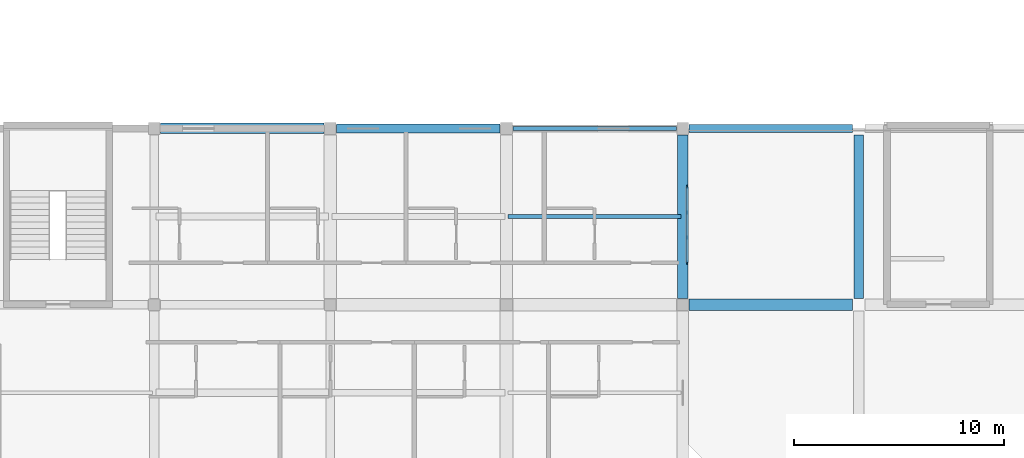
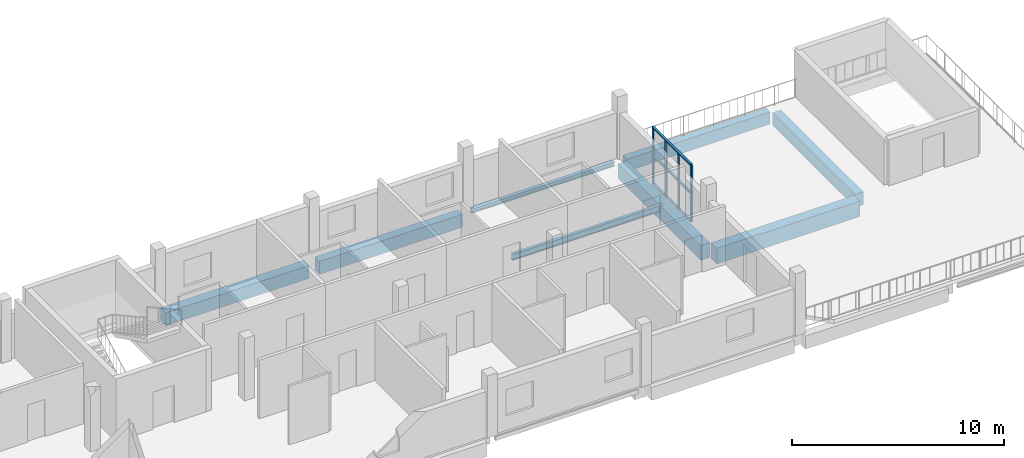
# One storey, part 6 of 26: 8 beams, 7 members, 1 element without a shape of its own.
"""IFC4 building model written with IfcOpenShell, lengths in metres."""

from ifc_helpers import new_model, si_unit, derived_unit, direction, frame, origin, origin_2d, place, context, subcontext, project, spatial, rectangle, i_section, extrude, material, material_profile, profile_set, type_object, element, aggregate, save


model = new_model("IFC4")

# Units and contexts
model_context = context("Model", 3, precision=1e-05, world=origin(), true_north=direction((0.0, 1.0)))
body_context = subcontext(model_context, "Body", "Model", "MODEL_VIEW")
ifc_project = project(units=[si_unit("LENGTHUNIT", "METRE"), si_unit("AREAUNIT", "SQUARE_METRE"), si_unit("VOLUMEUNIT", "CUBIC_METRE"), si_unit("PLANEANGLEUNIT", "RADIAN"), si_unit("MASSUNIT", "GRAM", prefix="KILO"), derived_unit("THERMALTRANSMITTANCEUNIT", [(si_unit("POWERUNIT", "WATT"), 1), (si_unit("LENGTHUNIT", "METRE"), -2), (si_unit("THERMODYNAMICTEMPERATUREUNIT", "KELVIN"), -1)])], contexts=[model_context])

# Site, building, storey
site_placement = place(None, origin())
site = spatial("IfcSite", under=ifc_project, at=site_placement, CompositionType="ELEMENT")
building_placement = place(site_placement, origin())
building = spatial("IfcBuilding", under=site, at=building_placement, Name="Barrovel Congress Hotel", CompositionType="ELEMENT")
storey_placement = place(building_placement, frame((0.0, 0.0, 32.699951171875)))
storey = spatial("IfcBuildingStorey", under=building, at=storey_placement, Name="L08", CompositionType="ELEMENT", Elevation=32.699951171875)

# Beams
ifc_material_1 = material(Name="Concrete C40", Category="concrete")
ifc_material_profile_1 = material_profile(ifc_material_1, rectangle(XDim=0.39990234375, YDim=0.699951171875, at=origin_2d()), Name="RC400x700")
ifc_profile_set_1 = profile_set([ifc_material_profile_1], Name="Concrete C40")
beam_type_1 = type_object("IfcBeamType", Name="BM-RC400x700", PredefinedType="BEAM", material=ifc_profile_set_1)
beam_1_placement = place(storey_placement, frame((134.699951171875, 21.0, -0.570068359375), z_axis=(1.0, 0.0, 0.0), x_axis=(0.0, 1.0, 0.0)))
element("IfcBeam", 1, at=beam_1_placement, inside=storey, type_object=beam_type_1, Name="BMX:L08:21.0:134.4-142.8", PredefinedType="BEAM", context=body_context, shape_type="SweptSolid", body=[
    extrude(rectangle(XDim=0.39990234375, YDim=0.699951171875, at=origin_2d()), origin(), (0.0, 0.0, 1.0), 7.800048828125),
])
ifc_material_profile_2 = material_profile(ifc_material_1, rectangle(XDim=0.449951171875, YDim=0.75, at=origin_2d()), Name="RC450x750")
ifc_profile_set_2 = profile_set([ifc_material_profile_2], Name="Concrete C40")
beam_type_2 = type_object("IfcBeamType", Name="BM-RC450x750", PredefinedType="BEAM", material=ifc_profile_set_2)
for number, where, z_axis, x_axis, name in (
    (2, (117.89990234375, 21.0, -0.594970703125), (1.0, 0.0, 0.0), (0.0, 1.0, 0.0), "BMX:L08:21.0:117.6-126.0"),
    (3, (142.800048828125, 12.89990234375, -0.594970703125), (0.0, 1.0, 0.0), (-1.0, 0.0, 0.0), "BMY:L08:142.8:12.6-21.0"),
):
    element("IfcBeam", number, at=place(storey_placement, frame(where, z_axis=z_axis, x_axis=x_axis)), inside=storey, type_object=beam_type_2, Name=name, PredefinedType="BEAM", context=body_context, shape_type="SweptSolid", body=[
        extrude(rectangle(XDim=0.449951171875, YDim=0.75, at=origin_2d()), origin(), (0.0, 0.0, 1.0), 7.800048828125),
    ])
ifc_material_profile_3 = material_profile(ifc_material_1, rectangle(XDim=0.5, YDim=0.75, at=origin_2d()), Name="RC500x750")
ifc_profile_set_3 = profile_set([ifc_material_profile_3], Name="Concrete C40")
beam_type_3 = type_object("IfcBeamType", Name="BM-RC500x750", PredefinedType="BEAM", material=ifc_profile_set_3)
beam_2_placement = place(storey_placement, frame((109.5, 21.0, -0.594970703125), z_axis=(1.0, 0.0, 0.0), x_axis=(0.0, 1.0, 0.0)))
element("IfcBeam", 4, at=beam_2_placement, inside=storey, type_object=beam_type_3, Name="BMX:L08:21.0:109.2-117.6", PredefinedType="BEAM", context=body_context, shape_type="SweptSolid", body=[
    extrude(rectangle(XDim=0.5, YDim=0.75, at=origin_2d()), origin(), (0.0, 0.0, 1.0), 7.800048828125),
])
ifc_material_profile_4 = material_profile(ifc_material_1, rectangle(XDim=0.5, YDim=0.85009765625, at=origin_2d()), Name="RC500x850")
ifc_profile_set_4 = profile_set([ifc_material_profile_4], Name="Concrete C40")
beam_type_4 = type_object("IfcBeamType", Name="BM-RC500x850", PredefinedType="BEAM", material=ifc_profile_set_4)
beam_3_placement = place(storey_placement, frame((134.39990234375, 12.89990234375, -0.64501953125), z_axis=(0.0, 1.0, 0.0), x_axis=(-1.0, 0.0, 0.0)))
element("IfcBeam", 5, at=beam_3_placement, inside=storey, type_object=beam_type_4, Name="BMY:L08:134.4:12.6-21.0", PredefinedType="BEAM", context=body_context, shape_type="SweptSolid", body=[
    extrude(rectangle(XDim=0.5, YDim=0.85009765625, at=origin_2d()), origin(), (0.0, 0.0, 1.0), 7.800048828125),
])
ifc_material_profile_5 = material_profile(ifc_material_1, rectangle(XDim=0.550048828125, YDim=0.89990234375, at=origin_2d()), Name="RC550x900")
ifc_profile_set_5 = profile_set([ifc_material_profile_5], Name="Concrete C40")
beam_type_5 = type_object("IfcBeamType", Name="BM-RC550x900", PredefinedType="BEAM", material=ifc_profile_set_5)
beam_4_placement = place(storey_placement, frame((134.699951171875, 12.60009765625, -0.669921875), z_axis=(1.0, 0.0, 0.0), x_axis=(0.0, 1.0, 0.0)))
element("IfcBeam", 6, at=beam_4_placement, inside=storey, type_object=beam_type_5, Name="BMX:L08:12.6:134.4-142.8", PredefinedType="BEAM", context=body_context, shape_type="SweptSolid", body=[
    extrude(rectangle(XDim=0.550048828125, YDim=0.89990234375, at=origin_2d()), origin(), (0.0, 0.0, 1.0), 7.800048828125),
])

# Curtain wall, members
ifc_material_2 = material(Name="Anodised Aluminium Alloy 6063-T6", Category="aluminium")
curtain_wall_type = type_object("IfcCurtainWallType", Name="CW-UN-3600x3200", PredefinedType="USERDEFINED", material=ifc_material_2)
curtain_wall_placement = place(storey_placement, origin())
curtain_wall = element("IfcCurtainWall", 7, at=curtain_wall_placement, inside=storey, type_object=curtain_wall_type, Name="CW:L08:UN-1", ObjectType="UNITISED CURTAIN WALL", PredefinedType="USERDEFINED")
ifc_material_profile_6 = material_profile(ifc_material_2, rectangle(XDim=0.06005859375, YDim=0.1650390625, at=origin_2d()), Name="AL-M60x165")
ifc_profile_set_6 = profile_set([ifc_material_profile_6], Name="Anodised Aluminium Alloy 6063-T6")
member_type_1 = type_object("IfcMemberType", Name="CWM-AL-M60x165", PredefinedType="MULLION", material=ifc_profile_set_6)
member_1_placement = place(storey_placement, frame((134.6201171875, 14.60009765625, 0.0), z_axis=(0.0, 0.0, 1.0), x_axis=(1.0, 0.0, 0.0)))
member_1 = element("IfcMember", 8, at=member_1_placement, type_object=member_type_1, Name="CW:L08:UN-1:M0", PredefinedType="MULLION", context=body_context, shape_type="SweptSolid", body=[
    extrude(rectangle(XDim=0.06005859375, YDim=0.1650390625, at=origin_2d()), origin(), (0.0, 0.0, 1.0), 3.25),
])
member_2_placement = place(storey_placement, frame((134.6201171875, 15.800048828125, 0.0), z_axis=(0.0, 0.0, 1.0), x_axis=(1.0, 0.0, 0.0)))
member_2 = element("IfcMember", 9, at=member_2_placement, type_object=member_type_1, Name="CW:L08:UN-1:M1", PredefinedType="MULLION", context=body_context, shape_type="SweptSolid", body=[
    extrude(rectangle(XDim=0.06005859375, YDim=0.1650390625, at=origin_2d()), origin(), (0.0, 0.0, 1.0), 3.25),
])
member_3_placement = place(storey_placement, frame((134.6201171875, 17.0, 0.0), z_axis=(0.0, 0.0, 1.0), x_axis=(1.0, 0.0, 0.0)))
member_3 = element("IfcMember", 10, at=member_3_placement, type_object=member_type_1, Name="CW:L08:UN-1:M2", PredefinedType="MULLION", context=body_context, shape_type="SweptSolid", body=[
    extrude(rectangle(XDim=0.06005859375, YDim=0.1650390625, at=origin_2d()), origin(), (0.0, 0.0, 1.0), 3.25),
])
member_4_placement = place(storey_placement, frame((134.6201171875, 18.199951171875, 0.0), z_axis=(0.0, 0.0, 1.0), x_axis=(1.0, 0.0, 0.0)))
member_4 = element("IfcMember", 11, at=member_4_placement, type_object=member_type_1, Name="CW:L08:UN-1:M3", PredefinedType="MULLION", context=body_context, shape_type="SweptSolid", body=[
    extrude(rectangle(XDim=0.06005859375, YDim=0.1650390625, at=origin_2d()), origin(), (0.0, 0.0, 1.0), 3.25),
])
ifc_material_profile_7 = material_profile(ifc_material_2, rectangle(XDim=0.125, YDim=0.06005859375, at=origin_2d()), Name="AL-T60x125")
ifc_profile_set_7 = profile_set([ifc_material_profile_7], Name="Anodised Aluminium Alloy 6063-T6")
member_type_2 = type_object("IfcMemberType", Name="CWT-AL-T60x125", PredefinedType="USERDEFINED", material=ifc_profile_set_7)
member_5_placement = place(storey_placement, frame((134.6201171875, 14.60009765625, 0.0), z_axis=(0.0, 1.0, 0.0), x_axis=(-1.0, 0.0, 0.0)))
member_5 = element("IfcMember", 12, at=member_5_placement, type_object=member_type_2, Name="CW:L08:UN-1:T0", ObjectType="TRANSOM", PredefinedType="USERDEFINED", context=body_context, shape_type="SweptSolid", body=[
    extrude(rectangle(XDim=0.125, YDim=0.06005859375, at=origin_2d()), origin(), (0.0, 0.0, 1.0), 3.599853515625),
])
member_6_placement = place(storey_placement, frame((134.6201171875, 14.60009765625, 1.625), z_axis=(0.0, 1.0, 0.0), x_axis=(-1.0, 0.0, 0.0)))
member_6 = element("IfcMember", 13, at=member_6_placement, type_object=member_type_2, Name="CW:L08:UN-1:T1", ObjectType="TRANSOM", PredefinedType="USERDEFINED", context=body_context, shape_type="SweptSolid", body=[
    extrude(rectangle(XDim=0.125, YDim=0.06005859375, at=origin_2d()), origin(), (0.0, 0.0, 1.0), 3.599853515625),
])
member_7_placement = place(storey_placement, frame((134.6201171875, 14.60009765625, 3.25), z_axis=(0.0, 1.0, 0.0), x_axis=(-1.0, 0.0, 0.0)))
member_7 = element("IfcMember", 14, at=member_7_placement, type_object=member_type_2, Name="CW:L08:UN-1:T2", ObjectType="TRANSOM", PredefinedType="USERDEFINED", context=body_context, shape_type="SweptSolid", body=[
    extrude(rectangle(XDim=0.125, YDim=0.06005859375, at=origin_2d()), origin(), (0.0, 0.0, 1.0), 3.599853515625),
])
aggregate(curtain_wall, [member_1, member_2, member_3, member_4, member_5, member_6, member_7])

# Beams
ifc_material_3 = material(Name="Steel ASTM A992 Grade 50", Category="steel")
ifc_material_profile_8 = material_profile(ifc_material_3, i_section(OverallWidth=0.201904296875, OverallDepth=0.2470703125, WebThickness=0.00732421875, FlangeThickness=0.010986328125, FilletRadius=0.011962890625, at=origin_2d()), Name="W250x49")
ifc_profile_set_8 = profile_set([ifc_material_profile_8], Name="Steel ASTM A992 Grade 50")
beam_type_6 = type_object("IfcBeamType", Name="SBM-W250x49", PredefinedType="SPANDREL", material=ifc_profile_set_8)
beam_5_placement = place(storey_placement, frame((126.300048828125, 21.0, -0.343505859375), z_axis=(1.0, 0.0, 0.0), x_axis=(0.0, 1.0, 0.0)))
element("IfcBeam", 15, at=beam_5_placement, inside=storey, type_object=beam_type_6, Name="BMX:L08:21.0:126.0-134.4", PredefinedType="SPANDREL", context=body_context, shape_type="SweptSolid", body=[
    extrude(i_section(OverallWidth=0.201904296875, OverallDepth=0.2470703125, WebThickness=0.00732421875, FlangeThickness=0.010986328125, FilletRadius=0.011962890625, at=origin_2d()), origin(), (0.0, 0.0, 1.0), 7.800048828125),
])
ifc_material_profile_9 = material_profile(ifc_material_3, i_section(OverallWidth=0.172119140625, OverallDepth=0.35791015625, WebThickness=0.0078125, FlangeThickness=0.01318359375, FilletRadius=0.011962890625, at=origin_2d()), Name="W360x57")
ifc_profile_set_9 = profile_set([ifc_material_profile_9], Name="Steel ASTM A992 Grade 50")
beam_type_7 = type_object("IfcBeamType", Name="SBM-W360x57", PredefinedType="JOIST", material=ifc_profile_set_9)
beam_6_placement = place(storey_placement, frame((126.080078125, 16.800048828125, -0.39892578125), z_axis=(1.0, 0.0, 0.0), x_axis=(0.0, 1.0, 0.0)))
element("IfcBeam", 16, at=beam_6_placement, inside=storey, type_object=beam_type_7, Name="JST:L08:126.0:16.8", PredefinedType="JOIST", context=body_context, shape_type="SweptSolid", body=[
    extrude(i_section(OverallWidth=0.172119140625, OverallDepth=0.35791015625, WebThickness=0.0078125, FlangeThickness=0.01318359375, FilletRadius=0.011962890625, at=origin_2d()), origin(), (0.0, 0.0, 1.0), 8.239990234375),
])

save(model, "model.ifc")
